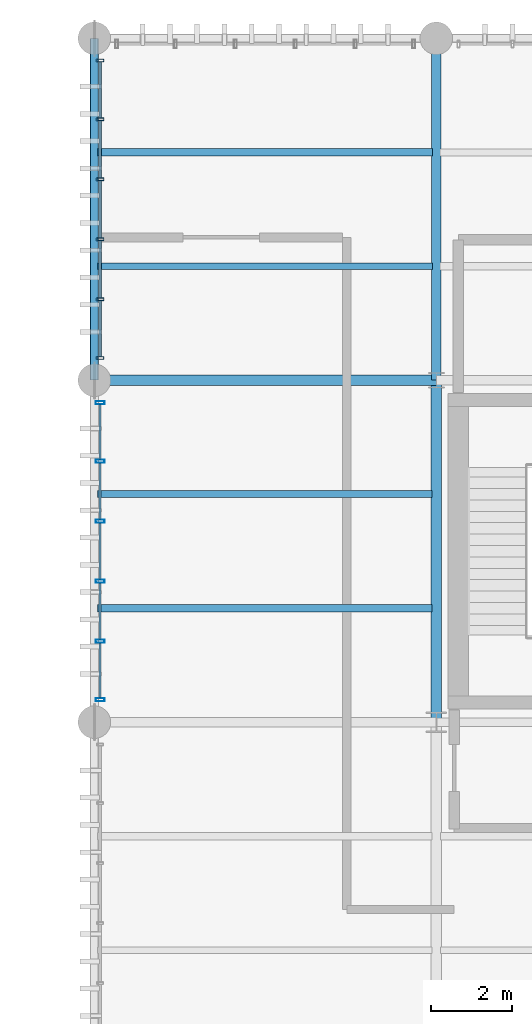
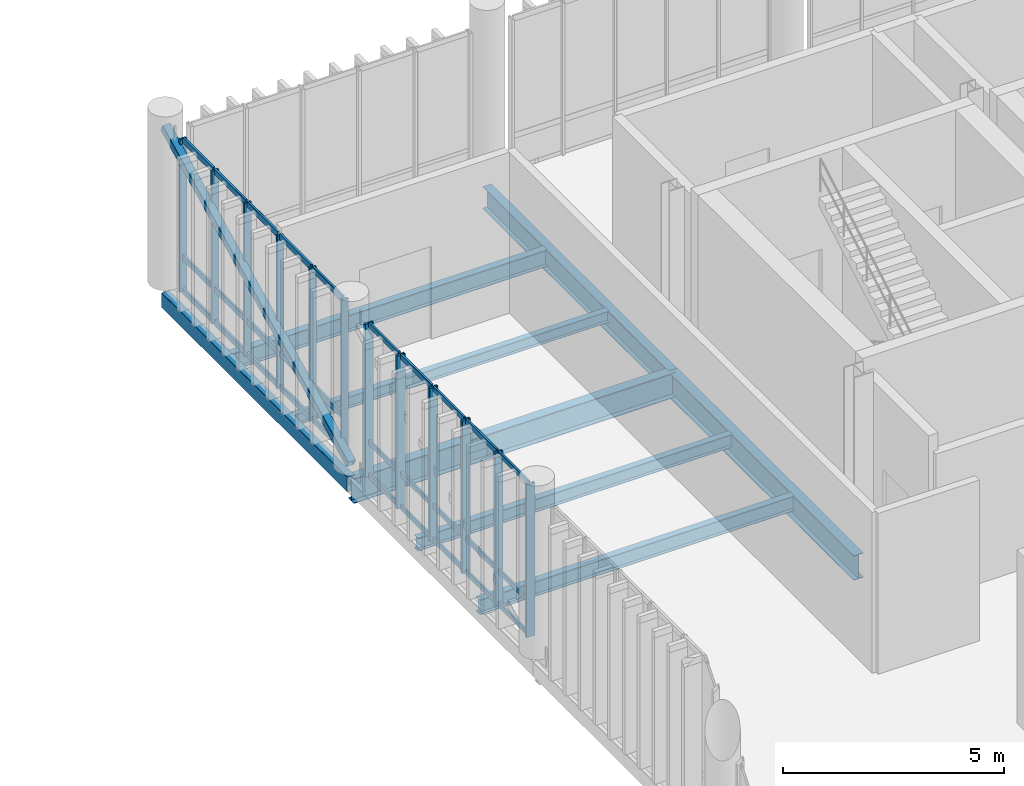
# One storey, part 72 of 109: 43 members, 8 beams, 2 elements without a shape of their own.
"""IFC4 building model written with IfcOpenShell, lengths in metres."""

from ifc_helpers import new_model, si_unit, direction, frame, origin_with_axes, origin_2d_with_axis, place, context, subcontext, project, spatial, hollow_rectangle, i_section, extrude, material, material_profile, profile_set, type_object, element, aggregate, save


model = new_model("IFC4")

# Units and contexts
model_context = context("Model", 3, precision=1e-05, world=origin_with_axes(), true_north=direction((0.0, 1.0)))
body_context = subcontext(model_context, "Body", "Model", "MODEL_VIEW")
ifc_project = project(units=[si_unit("LENGTHUNIT", "METRE"), si_unit("AREAUNIT", "SQUARE_METRE"), si_unit("VOLUMEUNIT", "CUBIC_METRE"), si_unit("PLANEANGLEUNIT", "RADIAN"), si_unit("MASSUNIT", "GRAM", prefix="KILO"), si_unit("THERMODYNAMICTEMPERATUREUNIT", "KELVIN")], contexts=[model_context])

# Site, building, storey
site_placement = place(None, origin_with_axes())
site = spatial("IfcSite", under=ifc_project, at=site_placement, CompositionType="ELEMENT")
building_placement = place(site_placement, origin_with_axes())
building = spatial("IfcBuilding", under=site, at=building_placement, Name="Montbau Bow Law Courts", CompositionType="ELEMENT")
storey_placement = place(building_placement, frame((0.0, 0.0, 10.8), z_axis=(0.0, 0.0, 1.0), x_axis=(1.0, 0.0, 0.0)))
storey = spatial("IfcBuildingStorey", under=building, at=storey_placement, Name="L02", CompositionType="ELEMENT", Elevation=10.8)

# Beams
ifc_material_1 = material(Name="Steel CSA G40.21 Grade 350W (350 MPa)", Category="steel")
ifc_material_profile_1 = material_profile(ifc_material_1, i_section(OverallWidth=0.254, OverallDepth=0.688, WebThickness=0.0131, FlangeThickness=0.0211, at=origin_2d_with_axis()), Name="W690X152", Category="Main", Priority=0)
ifc_profile_set_1 = profile_set([ifc_material_profile_1], Name="Steel CSA G40.21 Grade 350W (350 MPa)")
beam_type_1 = type_object("IfcBeamType", Name="B-FLR-04", PredefinedType="BEAM", material=ifc_profile_set_1)
for number, where, z_axis, x_axis, name in (
    (1, (138.6, 94.8, 10.156), (1.0, 0.0, 0.0), (0.0, 1.0, 0.0), "BM-L02-S1177:bm2_1180"),
    (2, (147.0, 86.4, 10.156), (0.0, 1.0, 0.0), (-1.0, 0.0, 0.0), "BM-L02-S1191:bm2_1194"),
):
    element("IfcBeam", number, at=place(None, frame(where, z_axis=z_axis, x_axis=x_axis)), inside=storey, type_object=beam_type_1, Name=name, PredefinedType="BEAM", context=body_context, shape_type="SweptSolid", body=[
        extrude(i_section(OverallWidth=0.254, OverallDepth=0.688, WebThickness=0.0131, FlangeThickness=0.0211, at=origin_2d_with_axis()), origin_with_axes(), (0.0, 0.0, 1.0), 8.4),
    ])
ifc_material_profile_2 = material_profile(ifc_material_1, i_section(OverallWidth=0.229, OverallDepth=0.612, WebThickness=0.0119, FlangeThickness=0.0196, at=origin_2d_with_axis()), Name="W610X125", Category="Main", Priority=0)
ifc_profile_set_2 = profile_set([ifc_material_profile_2], Name="Steel CSA G40.21 Grade 350W (350 MPa)")
beam_type_2 = type_object("IfcBeamType", Name="B-FLR-05", PredefinedType="BEAM", material=ifc_profile_set_2)
beam_1_placement = place(None, frame((147.0, 94.8, 10.194), z_axis=(0.0, 1.0, 0.0), x_axis=(-1.0, 0.0, 0.0)))
element("IfcBeam", 3, at=beam_1_placement, inside=storey, type_object=beam_type_2, Name="BM-L02-S1192:bm2_1195", PredefinedType="BEAM", context=body_context, shape_type="SweptSolid", body=[
    extrude(i_section(OverallWidth=0.229, OverallDepth=0.612, WebThickness=0.0119, FlangeThickness=0.0196, at=origin_2d_with_axis()), origin_with_axes(), (0.0, 0.0, 1.0), 8.4),
])
ifc_material_profile_3 = material_profile(ifc_material_1, i_section(OverallWidth=0.191, OverallDepth=0.46, WebThickness=0.0099, FlangeThickness=0.016, at=origin_2d_with_axis()), Name="W460X82", Category="Main", Priority=0)
ifc_profile_set_3 = profile_set([ifc_material_profile_3], Name="Steel CSA G40.21 Grade 350W (350 MPa)")
beam_type_3 = type_object("IfcBeamType", Name="B-JST-01", PredefinedType="JOIST", material=ifc_profile_set_3)
beam_2_placement = place(None, frame((138.68, 100.4, 10.27), z_axis=(1.0, 0.0, 0.0), x_axis=(0.0, 1.0, 0.0)))
element("IfcBeam", 4, at=beam_2_placement, inside=storey, type_object=beam_type_3, Name="JST-L02-S0616:jst2_0616", PredefinedType="JOIST", context=body_context, shape_type="SweptSolid", body=[
    extrude(i_section(OverallWidth=0.191, OverallDepth=0.46, WebThickness=0.0099, FlangeThickness=0.016, at=origin_2d_with_axis()), origin_with_axes(), (0.0, 0.0, 1.0), 8.23),
])
ifc_material_profile_4 = material_profile(ifc_material_1, i_section(OverallWidth=0.179, OverallDepth=0.41, WebThickness=0.0088, FlangeThickness=0.0144, at=origin_2d_with_axis()), Name="W410X67", Category="Main", Priority=0)
ifc_profile_set_4 = profile_set([ifc_material_profile_4], Name="Steel CSA G40.21 Grade 350W (350 MPa)")
beam_type_4 = type_object("IfcBeamType", Name="B-JST-02", PredefinedType="JOIST", material=ifc_profile_set_4)
beam_3_placement = place(None, frame((138.68, 89.2, 10.295), z_axis=(1.0, 0.0, 0.0), x_axis=(0.0, 1.0, 0.0)))
element("IfcBeam", 5, at=beam_3_placement, inside=storey, type_object=beam_type_4, Name="JST-L02-S0613:jst2_0613", PredefinedType="JOIST", context=body_context, shape_type="SweptSolid", body=[
    extrude(i_section(OverallWidth=0.179, OverallDepth=0.41, WebThickness=0.0088, FlangeThickness=0.0144, at=origin_2d_with_axis()), origin_with_axes(), (0.0, 0.0, 1.0), 8.217),
])
ifc_material_profile_5 = material_profile(ifc_material_1, i_section(OverallWidth=0.172, OverallDepth=0.358, WebThickness=0.0079, FlangeThickness=0.0131, at=origin_2d_with_axis()), Name="W360X57", Category="Main", Priority=0)
ifc_profile_set_5 = profile_set([ifc_material_profile_5], Name="Steel CSA G40.21 Grade 350W (350 MPa)")
beam_type_5 = type_object("IfcBeamType", Name="B-JST-03", PredefinedType="JOIST", material=ifc_profile_set_5)
beam_4_placement = place(None, frame((138.68, 92.0, 10.321), z_axis=(1.0, 0.0, 0.0), x_axis=(0.0, 1.0, 0.0)))
element("IfcBeam", 6, at=beam_4_placement, inside=storey, type_object=beam_type_5, Name="JST-L02-S0614:jst2_0614", PredefinedType="JOIST", context=body_context, shape_type="SweptSolid", body=[
    extrude(i_section(OverallWidth=0.172, OverallDepth=0.358, WebThickness=0.0079, FlangeThickness=0.0131, at=origin_2d_with_axis()), origin_with_axes(), (0.0, 0.0, 1.0), 8.217),
])
ifc_material_profile_6 = material_profile(ifc_material_1, i_section(OverallWidth=0.166, OverallDepth=0.313, WebThickness=0.0066, FlangeThickness=0.0112, at=origin_2d_with_axis()), Name="W310X45", Category="Main", Priority=0)
ifc_profile_set_6 = profile_set([ifc_material_profile_6], Name="Steel CSA G40.21 Grade 350W (350 MPa)")
beam_type_6 = type_object("IfcBeamType", Name="B-JST-04", PredefinedType="JOIST", material=ifc_profile_set_6)
beam_5_placement = place(None, frame((138.68, 97.6, 10.344), z_axis=(1.0, 0.0, 0.0), x_axis=(0.0, 1.0, 0.0)))
element("IfcBeam", 7, at=beam_5_placement, inside=storey, type_object=beam_type_6, Name="JST-L02-S0615:jst2_0615", PredefinedType="JOIST", context=body_context, shape_type="SweptSolid", body=[
    extrude(i_section(OverallWidth=0.166, OverallDepth=0.313, WebThickness=0.0066, FlangeThickness=0.0112, at=origin_2d_with_axis()), origin_with_axes(), (0.0, 0.0, 1.0), 8.23),
])
ifc_material_2 = material(Name="Steel CSA G40.21 Grade 350WT (350 MPa)", Category="steel")
ifc_material_profile_7 = material_profile(ifc_material_2, hollow_rectangle(XDim=0.203, YDim=0.406, WallThickness=0.0127, InnerFilletRadius=0.0254, OuterFilletRadius=0.0127, at=origin_2d_with_axis()), Name="HSS406X203X13", Category="Main", Priority=0)
ifc_profile_set_7 = profile_set([ifc_material_profile_7], Name="Steel CSA G40.21 Grade 350WT (350 MPa)")
beam_type_7 = type_object("IfcBeamType", Name="B-SPN-01", PredefinedType="SPANDREL", material=ifc_profile_set_7)
beam_6_placement = place(None, frame((138.6, 94.8, 10.297), z_axis=(0.0, 1.0, 0.0), x_axis=(-1.0, 0.0, 0.0)))
element("IfcBeam", 8, at=beam_6_placement, inside=storey, type_object=beam_type_7, Name="SPN-L02-S1188:bm2_1191", PredefinedType="SPANDREL", context=body_context, shape_type="SweptSolid", body=[
    extrude(hollow_rectangle(XDim=0.203, YDim=0.406, WallThickness=0.0127, InnerFilletRadius=0.0254, OuterFilletRadius=0.0127, at=origin_2d_with_axis()), origin_with_axes(), (0.0, 0.0, 1.0), 8.4),
])

# Member
ifc_material_profile_8 = material_profile(ifc_material_1, hollow_rectangle(XDim=0.203, YDim=0.203, WallThickness=0.0111, InnerFilletRadius=0.0222, OuterFilletRadius=0.0111, at=origin_2d_with_axis()), Name="HSS203X203X11", Category="Main", Priority=0)
ifc_profile_set_8 = profile_set([ifc_material_profile_8], Name="Steel CSA G40.21 Grade 350W (350 MPa)")
member_type_1 = type_object("IfcMemberType", Name="M-BRC-02", PredefinedType="BRACE", material=ifc_profile_set_8)
member_1_placement = place(None, frame((138.6, 94.8, 10.85), z_axis=(0.0, 0.894128949, 0.447809582), x_axis=(-1.0, 0.0, 0.0)))
element("IfcMember", 9, at=member_1_placement, inside=storey, type_object=member_type_1, Name="Diagonal brace CBF-L02-068A", PredefinedType="BRACE", context=body_context, shape_type="SweptSolid", body=[
    extrude(hollow_rectangle(XDim=0.203, YDim=0.203, WallThickness=0.0111, InnerFilletRadius=0.0222, OuterFilletRadius=0.0111, at=origin_2d_with_axis()), origin_with_axes(), (0.0, 0.0, 1.0), 9.394618),
])

# Curtain wall, members
ifc_material_3 = material(Name="Thermally Broken Extruded Aluminium AA 6063-T6", Category="aluminium")
curtain_wall_type = type_object("IfcCurtainWallType", Name="CW-SLT-01", PredefinedType="NOTDEFINED", material=ifc_material_3)
curtain_wall_1_placement = place(None, frame((138.74, 86.915, 10.8), z_axis=(0.0, 0.0, 1.0), x_axis=(1.0, 0.0, 0.0)))
curtain_wall_1 = element("IfcCurtainWall", 10, at=curtain_wall_1_placement, inside=storey, type_object=curtain_wall_type, Name="CW-L02-303:cw_0303", PredefinedType="NOTDEFINED")
ifc_material_profile_9 = material_profile(ifc_material_3, hollow_rectangle(XDim=0.075, YDim=0.22, WallThickness=0.005, InnerFilletRadius=0.01, OuterFilletRadius=0.005, at=origin_2d_with_axis()), Name="CWM-220X75", Category="Main", Priority=0)
ifc_profile_set_9 = profile_set([ifc_material_profile_9], Name="Thermally Broken Extruded Aluminium AA 6063-T6")
member_type_2 = type_object("IfcMemberType", Name="M-MUL-01", PredefinedType="MULLION", material=ifc_profile_set_9)
member_2_placement = place(None, frame((138.74, 86.952, 10.8), z_axis=(0.0, 0.0, 1.0), x_axis=(0.0, 1.0, 0.0)))
member_2 = element("IfcMember", 11, at=member_2_placement, type_object=member_type_2, Name="CW-L02-303-M01:cw_0303_M01", PredefinedType="MULLION", context=body_context, shape_type="SweptSolid", body=[
    extrude(hollow_rectangle(XDim=0.075, YDim=0.22, WallThickness=0.005, InnerFilletRadius=0.01, OuterFilletRadius=0.005, at=origin_2d_with_axis()), origin_with_axes(), (0.0, 0.0, 1.0), 4.22),
])
member_3_placement = place(None, frame((138.74, 88.389, 10.8), z_axis=(0.0, 0.0, 1.0), x_axis=(0.0, 1.0, 0.0)))
member_3 = element("IfcMember", 12, at=member_3_placement, type_object=member_type_2, Name="CW-L02-303-M02:cw_0303_M02", PredefinedType="MULLION", context=body_context, shape_type="SweptSolid", body=[
    extrude(hollow_rectangle(XDim=0.075, YDim=0.22, WallThickness=0.005, InnerFilletRadius=0.01, OuterFilletRadius=0.005, at=origin_2d_with_axis()), origin_with_axes(), (0.0, 0.0, 1.0), 4.22),
])
member_4_placement = place(None, frame((138.74, 89.863, 10.8), z_axis=(0.0, 0.0, 1.0), x_axis=(0.0, 1.0, 0.0)))
member_4 = element("IfcMember", 13, at=member_4_placement, type_object=member_type_2, Name="CW-L02-303-M03:cw_0303_M03", PredefinedType="MULLION", context=body_context, shape_type="SweptSolid", body=[
    extrude(hollow_rectangle(XDim=0.075, YDim=0.22, WallThickness=0.005, InnerFilletRadius=0.01, OuterFilletRadius=0.005, at=origin_2d_with_axis()), origin_with_axes(), (0.0, 0.0, 1.0), 4.22),
])
member_5_placement = place(None, frame((138.74, 91.337, 10.8), z_axis=(0.0, 0.0, 1.0), x_axis=(0.0, 1.0, 0.0)))
member_5 = element("IfcMember", 14, at=member_5_placement, type_object=member_type_2, Name="CW-L02-303-M04:cw_0303_M04", PredefinedType="MULLION", context=body_context, shape_type="SweptSolid", body=[
    extrude(hollow_rectangle(XDim=0.075, YDim=0.22, WallThickness=0.005, InnerFilletRadius=0.01, OuterFilletRadius=0.005, at=origin_2d_with_axis()), origin_with_axes(), (0.0, 0.0, 1.0), 4.22),
])
member_6_placement = place(None, frame((138.74, 92.811, 10.8), z_axis=(0.0, 0.0, 1.0), x_axis=(0.0, 1.0, 0.0)))
member_6 = element("IfcMember", 15, at=member_6_placement, type_object=member_type_2, Name="CW-L02-303-M05:cw_0303_M05", PredefinedType="MULLION", context=body_context, shape_type="SweptSolid", body=[
    extrude(hollow_rectangle(XDim=0.075, YDim=0.22, WallThickness=0.005, InnerFilletRadius=0.01, OuterFilletRadius=0.005, at=origin_2d_with_axis()), origin_with_axes(), (0.0, 0.0, 1.0), 4.22),
])
member_7_placement = place(None, frame((138.74, 94.247, 10.8), z_axis=(0.0, 0.0, 1.0), x_axis=(0.0, 1.0, 0.0)))
member_7 = element("IfcMember", 16, at=member_7_placement, type_object=member_type_2, Name="CW-L02-303-M06:cw_0303_M06", PredefinedType="MULLION", context=body_context, shape_type="SweptSolid", body=[
    extrude(hollow_rectangle(XDim=0.075, YDim=0.22, WallThickness=0.005, InnerFilletRadius=0.01, OuterFilletRadius=0.005, at=origin_2d_with_axis()), origin_with_axes(), (0.0, 0.0, 1.0), 4.22),
])

curtain_wall_2_placement = place(None, frame((138.74, 95.315, 10.8), z_axis=(0.0, 0.0, 1.0), x_axis=(1.0, 0.0, 0.0)))
curtain_wall_2 = element("IfcCurtainWall", 17, at=curtain_wall_2_placement, inside=storey, type_object=curtain_wall_type, Name="CW-L02-304:cw_0304", PredefinedType="NOTDEFINED")
ifc_material_profile_10 = material_profile(ifc_material_3, hollow_rectangle(XDim=0.065, YDim=0.18, WallThickness=0.005, InnerFilletRadius=0.01, OuterFilletRadius=0.005, at=origin_2d_with_axis()), Name="CWM-180X65", Category="Main", Priority=0)
ifc_profile_set_10 = profile_set([ifc_material_profile_10], Name="Thermally Broken Extruded Aluminium AA 6063-T6")
member_type_3 = type_object("IfcMemberType", Name="M-MUL-02", PredefinedType="MULLION", material=ifc_profile_set_10)
member_8_placement = place(None, frame((138.74, 95.348, 10.8), z_axis=(0.0, 0.0, 1.0), x_axis=(0.0, 1.0, 0.0)))
member_8 = element("IfcMember", 18, at=member_8_placement, type_object=member_type_3, Name="CW-L02-304-M01:cw_0304_M01", PredefinedType="MULLION", context=body_context, shape_type="SweptSolid", body=[
    extrude(hollow_rectangle(XDim=0.065, YDim=0.18, WallThickness=0.005, InnerFilletRadius=0.01, OuterFilletRadius=0.005, at=origin_2d_with_axis()), origin_with_axes(), (0.0, 0.0, 1.0), 4.22),
])
member_9_placement = place(None, frame((138.74, 96.789, 10.8), z_axis=(0.0, 0.0, 1.0), x_axis=(0.0, 1.0, 0.0)))
member_9 = element("IfcMember", 19, at=member_9_placement, type_object=member_type_3, Name="CW-L02-304-M02:cw_0304_M02", PredefinedType="MULLION", context=body_context, shape_type="SweptSolid", body=[
    extrude(hollow_rectangle(XDim=0.065, YDim=0.18, WallThickness=0.005, InnerFilletRadius=0.01, OuterFilletRadius=0.005, at=origin_2d_with_axis()), origin_with_axes(), (0.0, 0.0, 1.0), 4.22),
])
member_10_placement = place(None, frame((138.74, 98.263, 10.8), z_axis=(0.0, 0.0, 1.0), x_axis=(0.0, 1.0, 0.0)))
member_10 = element("IfcMember", 20, at=member_10_placement, type_object=member_type_3, Name="CW-L02-304-M03:cw_0304_M03", PredefinedType="MULLION", context=body_context, shape_type="SweptSolid", body=[
    extrude(hollow_rectangle(XDim=0.065, YDim=0.18, WallThickness=0.005, InnerFilletRadius=0.01, OuterFilletRadius=0.005, at=origin_2d_with_axis()), origin_with_axes(), (0.0, 0.0, 1.0), 4.22),
])
member_11_placement = place(None, frame((138.74, 99.737, 10.8), z_axis=(0.0, 0.0, 1.0), x_axis=(0.0, 1.0, 0.0)))
member_11 = element("IfcMember", 21, at=member_11_placement, type_object=member_type_3, Name="CW-L02-304-M04:cw_0304_M04", PredefinedType="MULLION", context=body_context, shape_type="SweptSolid", body=[
    extrude(hollow_rectangle(XDim=0.065, YDim=0.18, WallThickness=0.005, InnerFilletRadius=0.01, OuterFilletRadius=0.005, at=origin_2d_with_axis()), origin_with_axes(), (0.0, 0.0, 1.0), 4.22),
])
member_12_placement = place(None, frame((138.74, 101.211, 10.8), z_axis=(0.0, 0.0, 1.0), x_axis=(0.0, 1.0, 0.0)))
member_12 = element("IfcMember", 22, at=member_12_placement, type_object=member_type_3, Name="CW-L02-304-M05:cw_0304_M05", PredefinedType="MULLION", context=body_context, shape_type="SweptSolid", body=[
    extrude(hollow_rectangle(XDim=0.065, YDim=0.18, WallThickness=0.005, InnerFilletRadius=0.01, OuterFilletRadius=0.005, at=origin_2d_with_axis()), origin_with_axes(), (0.0, 0.0, 1.0), 4.22),
])
member_13_placement = place(None, frame((138.74, 102.653, 10.8), z_axis=(0.0, 0.0, 1.0), x_axis=(0.0, 1.0, 0.0)))
member_13 = element("IfcMember", 23, at=member_13_placement, type_object=member_type_3, Name="CW-L02-304-M06:cw_0304_M06", PredefinedType="MULLION", context=body_context, shape_type="SweptSolid", body=[
    extrude(hollow_rectangle(XDim=0.065, YDim=0.18, WallThickness=0.005, InnerFilletRadius=0.01, OuterFilletRadius=0.005, at=origin_2d_with_axis()), origin_with_axes(), (0.0, 0.0, 1.0), 4.22),
])
ifc_material_profile_11 = material_profile(ifc_material_3, hollow_rectangle(XDim=0.06, YDim=0.16, WallThickness=0.004, InnerFilletRadius=0.008, OuterFilletRadius=0.004, at=origin_2d_with_axis()), Name="CWT-160X60", Category="Main", Priority=0)
ifc_profile_set_11 = profile_set([ifc_material_profile_11], Name="Thermally Broken Extruded Aluminium AA 6063-T6")
member_type_4 = type_object("IfcMemberType", Name="M-TRN-01", PredefinedType="USERDEFINED", material=ifc_profile_set_11)
member_14_placement = place(None, frame((138.74, 95.383, 10.83), z_axis=(0.0, 1.0, 0.0), x_axis=(-1.0, 0.0, 0.0)))
member_14 = element("IfcMember", 24, at=member_14_placement, type_object=member_type_4, Name="CW-L02-304-T01-1:cw_0304_T01_1", ObjectType="TRANSOM", PredefinedType="USERDEFINED", context=body_context, shape_type="SweptSolid", body=[
    extrude(hollow_rectangle(XDim=0.06, YDim=0.16, WallThickness=0.004, InnerFilletRadius=0.008, OuterFilletRadius=0.004, at=origin_2d_with_axis()), origin_with_axes(), (0.0, 0.0, 1.0), 1.372),
])
member_15_placement = place(None, frame((138.74, 95.383, 11.75), z_axis=(0.0, 1.0, 0.0), x_axis=(-1.0, 0.0, 0.0)))
member_15 = element("IfcMember", 25, at=member_15_placement, type_object=member_type_4, Name="CW-L02-304-T01-2:cw_0304_T01_2", ObjectType="TRANSOM", PredefinedType="USERDEFINED", context=body_context, shape_type="SweptSolid", body=[
    extrude(hollow_rectangle(XDim=0.06, YDim=0.16, WallThickness=0.004, InnerFilletRadius=0.008, OuterFilletRadius=0.004, at=origin_2d_with_axis()), origin_with_axes(), (0.0, 0.0, 1.0), 1.372),
])
member_16_placement = place(None, frame((138.74, 95.383, 14.99), z_axis=(0.0, 1.0, 0.0), x_axis=(-1.0, 0.0, 0.0)))
member_16 = element("IfcMember", 26, at=member_16_placement, type_object=member_type_4, Name="CW-L02-304-T01-3:cw_0304_T01_3", ObjectType="TRANSOM", PredefinedType="USERDEFINED", context=body_context, shape_type="SweptSolid", body=[
    extrude(hollow_rectangle(XDim=0.06, YDim=0.16, WallThickness=0.004, InnerFilletRadius=0.008, OuterFilletRadius=0.004, at=origin_2d_with_axis()), origin_with_axes(), (0.0, 0.0, 1.0), 1.372),
])
member_17_placement = place(None, frame((138.74, 96.823, 10.83), z_axis=(0.0, 1.0, 0.0), x_axis=(-1.0, 0.0, 0.0)))
member_17 = element("IfcMember", 27, at=member_17_placement, type_object=member_type_4, Name="CW-L02-304-T02-1:cw_0304_T02_1", ObjectType="TRANSOM", PredefinedType="USERDEFINED", context=body_context, shape_type="SweptSolid", body=[
    extrude(hollow_rectangle(XDim=0.06, YDim=0.16, WallThickness=0.004, InnerFilletRadius=0.008, OuterFilletRadius=0.004, at=origin_2d_with_axis()), origin_with_axes(), (0.0, 0.0, 1.0), 1.405),
])
member_18_placement = place(None, frame((138.74, 96.823, 11.75), z_axis=(0.0, 1.0, 0.0), x_axis=(-1.0, 0.0, 0.0)))
member_18 = element("IfcMember", 28, at=member_18_placement, type_object=member_type_4, Name="CW-L02-304-T02-2:cw_0304_T02_2", ObjectType="TRANSOM", PredefinedType="USERDEFINED", context=body_context, shape_type="SweptSolid", body=[
    extrude(hollow_rectangle(XDim=0.06, YDim=0.16, WallThickness=0.004, InnerFilletRadius=0.008, OuterFilletRadius=0.004, at=origin_2d_with_axis()), origin_with_axes(), (0.0, 0.0, 1.0), 1.405),
])
member_19_placement = place(None, frame((138.74, 96.823, 14.99), z_axis=(0.0, 1.0, 0.0), x_axis=(-1.0, 0.0, 0.0)))
member_19 = element("IfcMember", 29, at=member_19_placement, type_object=member_type_4, Name="CW-L02-304-T02-3:cw_0304_T02_3", ObjectType="TRANSOM", PredefinedType="USERDEFINED", context=body_context, shape_type="SweptSolid", body=[
    extrude(hollow_rectangle(XDim=0.06, YDim=0.16, WallThickness=0.004, InnerFilletRadius=0.008, OuterFilletRadius=0.004, at=origin_2d_with_axis()), origin_with_axes(), (0.0, 0.0, 1.0), 1.405),
])
member_20_placement = place(None, frame((138.74, 98.297, 10.83), z_axis=(0.0, 1.0, 0.0), x_axis=(-1.0, 0.0, 0.0)))
member_20 = element("IfcMember", 30, at=member_20_placement, type_object=member_type_4, Name="CW-L02-304-T03-1:cw_0304_T03_1", ObjectType="TRANSOM", PredefinedType="USERDEFINED", context=body_context, shape_type="SweptSolid", body=[
    extrude(hollow_rectangle(XDim=0.06, YDim=0.16, WallThickness=0.004, InnerFilletRadius=0.008, OuterFilletRadius=0.004, at=origin_2d_with_axis()), origin_with_axes(), (0.0, 0.0, 1.0), 1.406),
])
member_21_placement = place(None, frame((138.74, 98.297, 11.75), z_axis=(0.0, 1.0, 0.0), x_axis=(-1.0, 0.0, 0.0)))
member_21 = element("IfcMember", 31, at=member_21_placement, type_object=member_type_4, Name="CW-L02-304-T03-2:cw_0304_T03_2", ObjectType="TRANSOM", PredefinedType="USERDEFINED", context=body_context, shape_type="SweptSolid", body=[
    extrude(hollow_rectangle(XDim=0.06, YDim=0.16, WallThickness=0.004, InnerFilletRadius=0.008, OuterFilletRadius=0.004, at=origin_2d_with_axis()), origin_with_axes(), (0.0, 0.0, 1.0), 1.406),
])
member_22_placement = place(None, frame((138.74, 98.297, 14.99), z_axis=(0.0, 1.0, 0.0), x_axis=(-1.0, 0.0, 0.0)))
member_22 = element("IfcMember", 32, at=member_22_placement, type_object=member_type_4, Name="CW-L02-304-T03-3:cw_0304_T03_3", ObjectType="TRANSOM", PredefinedType="USERDEFINED", context=body_context, shape_type="SweptSolid", body=[
    extrude(hollow_rectangle(XDim=0.06, YDim=0.16, WallThickness=0.004, InnerFilletRadius=0.008, OuterFilletRadius=0.004, at=origin_2d_with_axis()), origin_with_axes(), (0.0, 0.0, 1.0), 1.406),
])
member_23_placement = place(None, frame((138.74, 99.771, 10.83), z_axis=(0.0, 1.0, 0.0), x_axis=(-1.0, 0.0, 0.0)))
member_23 = element("IfcMember", 33, at=member_23_placement, type_object=member_type_4, Name="CW-L02-304-T04-1:cw_0304_T04_1", ObjectType="TRANSOM", PredefinedType="USERDEFINED", context=body_context, shape_type="SweptSolid", body=[
    extrude(hollow_rectangle(XDim=0.06, YDim=0.16, WallThickness=0.004, InnerFilletRadius=0.008, OuterFilletRadius=0.004, at=origin_2d_with_axis()), origin_with_axes(), (0.0, 0.0, 1.0), 1.406),
])
member_24_placement = place(None, frame((138.74, 99.771, 11.75), z_axis=(0.0, 1.0, 0.0), x_axis=(-1.0, 0.0, 0.0)))
member_24 = element("IfcMember", 34, at=member_24_placement, type_object=member_type_4, Name="CW-L02-304-T04-2:cw_0304_T04_2", ObjectType="TRANSOM", PredefinedType="USERDEFINED", context=body_context, shape_type="SweptSolid", body=[
    extrude(hollow_rectangle(XDim=0.06, YDim=0.16, WallThickness=0.004, InnerFilletRadius=0.008, OuterFilletRadius=0.004, at=origin_2d_with_axis()), origin_with_axes(), (0.0, 0.0, 1.0), 1.406),
])
member_25_placement = place(None, frame((138.74, 99.771, 14.99), z_axis=(0.0, 1.0, 0.0), x_axis=(-1.0, 0.0, 0.0)))
member_25 = element("IfcMember", 35, at=member_25_placement, type_object=member_type_4, Name="CW-L02-304-T04-3:cw_0304_T04_3", ObjectType="TRANSOM", PredefinedType="USERDEFINED", context=body_context, shape_type="SweptSolid", body=[
    extrude(hollow_rectangle(XDim=0.06, YDim=0.16, WallThickness=0.004, InnerFilletRadius=0.008, OuterFilletRadius=0.004, at=origin_2d_with_axis()), origin_with_axes(), (0.0, 0.0, 1.0), 1.406),
])
member_26_placement = place(None, frame((138.74, 101.245, 10.83), z_axis=(0.0, 1.0, 0.0), x_axis=(-1.0, 0.0, 0.0)))
member_26 = element("IfcMember", 36, at=member_26_placement, type_object=member_type_4, Name="CW-L02-304-T05-1:cw_0304_T05_1", ObjectType="TRANSOM", PredefinedType="USERDEFINED", context=body_context, shape_type="SweptSolid", body=[
    extrude(hollow_rectangle(XDim=0.06, YDim=0.16, WallThickness=0.004, InnerFilletRadius=0.008, OuterFilletRadius=0.004, at=origin_2d_with_axis()), origin_with_axes(), (0.0, 0.0, 1.0), 1.374),
])
member_27_placement = place(None, frame((138.74, 101.245, 11.75), z_axis=(0.0, 1.0, 0.0), x_axis=(-1.0, 0.0, 0.0)))
member_27 = element("IfcMember", 37, at=member_27_placement, type_object=member_type_4, Name="CW-L02-304-T05-2:cw_0304_T05_2", ObjectType="TRANSOM", PredefinedType="USERDEFINED", context=body_context, shape_type="SweptSolid", body=[
    extrude(hollow_rectangle(XDim=0.06, YDim=0.16, WallThickness=0.004, InnerFilletRadius=0.008, OuterFilletRadius=0.004, at=origin_2d_with_axis()), origin_with_axes(), (0.0, 0.0, 1.0), 1.374),
])
member_28_placement = place(None, frame((138.74, 101.245, 14.99), z_axis=(0.0, 1.0, 0.0), x_axis=(-1.0, 0.0, 0.0)))
member_28 = element("IfcMember", 38, at=member_28_placement, type_object=member_type_4, Name="CW-L02-304-T05-3:cw_0304_T05_3", ObjectType="TRANSOM", PredefinedType="USERDEFINED", context=body_context, shape_type="SweptSolid", body=[
    extrude(hollow_rectangle(XDim=0.06, YDim=0.16, WallThickness=0.004, InnerFilletRadius=0.008, OuterFilletRadius=0.004, at=origin_2d_with_axis()), origin_with_axes(), (0.0, 0.0, 1.0), 1.374),
])
aggregate(curtain_wall_2, [member_8, member_9, member_10, member_11, member_12, member_13, member_14, member_15, member_16, member_17, member_18, member_19, member_20, member_21, member_22, member_23, member_24, member_25, member_26, member_27, member_28])

# Member
ifc_material_profile_12 = material_profile(ifc_material_3, hollow_rectangle(XDim=0.055, YDim=0.14, WallThickness=0.004, InnerFilletRadius=0.008, OuterFilletRadius=0.004, at=origin_2d_with_axis()), Name="CWT-140X55", Category="Main", Priority=0)
ifc_profile_set_12 = profile_set([ifc_material_profile_12], Name="Thermally Broken Extruded Aluminium AA 6063-T6")
member_type_5 = type_object("IfcMemberType", Name="M-TRN-02", PredefinedType="USERDEFINED", material=ifc_profile_set_12)
member_29_placement = place(None, frame((138.74, 86.991, 10.828), z_axis=(0.0, 1.0, 0.0), x_axis=(-1.0, 0.0, 0.0)))
member_29 = element("IfcMember", 39, at=member_29_placement, type_object=member_type_5, Name="CW-L02-303-T01-1:cw_0303_T01_1", ObjectType="TRANSOM", PredefinedType="USERDEFINED", context=body_context, shape_type="SweptSolid", body=[
    extrude(hollow_rectangle(XDim=0.055, YDim=0.14, WallThickness=0.004, InnerFilletRadius=0.008, OuterFilletRadius=0.004, at=origin_2d_with_axis()), origin_with_axes(), (0.0, 0.0, 1.0), 1.358),
])

member_30_placement = place(None, frame((138.74, 86.991, 11.75), z_axis=(0.0, 1.0, 0.0), x_axis=(-1.0, 0.0, 0.0)))
member_30 = element("IfcMember", 40, at=member_30_placement, type_object=member_type_5, Name="CW-L02-303-T01-2:cw_0303_T01_2", ObjectType="TRANSOM", PredefinedType="USERDEFINED", context=body_context, shape_type="SweptSolid", body=[
    extrude(hollow_rectangle(XDim=0.055, YDim=0.14, WallThickness=0.004, InnerFilletRadius=0.008, OuterFilletRadius=0.004, at=origin_2d_with_axis()), origin_with_axes(), (0.0, 0.0, 1.0), 1.358),
])

member_31_placement = place(None, frame((138.74, 86.991, 14.992), z_axis=(0.0, 1.0, 0.0), x_axis=(-1.0, 0.0, 0.0)))
member_31 = element("IfcMember", 41, at=member_31_placement, type_object=member_type_5, Name="CW-L02-303-T01-3:cw_0303_T01_3", ObjectType="TRANSOM", PredefinedType="USERDEFINED", context=body_context, shape_type="SweptSolid", body=[
    extrude(hollow_rectangle(XDim=0.055, YDim=0.14, WallThickness=0.004, InnerFilletRadius=0.008, OuterFilletRadius=0.004, at=origin_2d_with_axis()), origin_with_axes(), (0.0, 0.0, 1.0), 1.358),
])

member_32_placement = place(None, frame((138.74, 88.429, 10.828), z_axis=(0.0, 1.0, 0.0), x_axis=(-1.0, 0.0, 0.0)))
member_32 = element("IfcMember", 42, at=member_32_placement, type_object=member_type_5, Name="CW-L02-303-T02-1:cw_0303_T02_1", ObjectType="TRANSOM", PredefinedType="USERDEFINED", context=body_context, shape_type="SweptSolid", body=[
    extrude(hollow_rectangle(XDim=0.055, YDim=0.14, WallThickness=0.004, InnerFilletRadius=0.008, OuterFilletRadius=0.004, at=origin_2d_with_axis()), origin_with_axes(), (0.0, 0.0, 1.0), 1.395),
])

member_33_placement = place(None, frame((138.74, 88.429, 11.75), z_axis=(0.0, 1.0, 0.0), x_axis=(-1.0, 0.0, 0.0)))
member_33 = element("IfcMember", 43, at=member_33_placement, type_object=member_type_5, Name="CW-L02-303-T02-2:cw_0303_T02_2", ObjectType="TRANSOM", PredefinedType="USERDEFINED", context=body_context, shape_type="SweptSolid", body=[
    extrude(hollow_rectangle(XDim=0.055, YDim=0.14, WallThickness=0.004, InnerFilletRadius=0.008, OuterFilletRadius=0.004, at=origin_2d_with_axis()), origin_with_axes(), (0.0, 0.0, 1.0), 1.395),
])

member_34_placement = place(None, frame((138.74, 88.429, 14.992), z_axis=(0.0, 1.0, 0.0), x_axis=(-1.0, 0.0, 0.0)))
member_34 = element("IfcMember", 44, at=member_34_placement, type_object=member_type_5, Name="CW-L02-303-T02-3:cw_0303_T02_3", ObjectType="TRANSOM", PredefinedType="USERDEFINED", context=body_context, shape_type="SweptSolid", body=[
    extrude(hollow_rectangle(XDim=0.055, YDim=0.14, WallThickness=0.004, InnerFilletRadius=0.008, OuterFilletRadius=0.004, at=origin_2d_with_axis()), origin_with_axes(), (0.0, 0.0, 1.0), 1.395),
])

member_35_placement = place(None, frame((138.74, 89.902, 10.828), z_axis=(0.0, 1.0, 0.0), x_axis=(-1.0, 0.0, 0.0)))
member_35 = element("IfcMember", 45, at=member_35_placement, type_object=member_type_5, Name="CW-L02-303-T03-1:cw_0303_T03_1", ObjectType="TRANSOM", PredefinedType="USERDEFINED", context=body_context, shape_type="SweptSolid", body=[
    extrude(hollow_rectangle(XDim=0.055, YDim=0.14, WallThickness=0.004, InnerFilletRadius=0.008, OuterFilletRadius=0.004, at=origin_2d_with_axis()), origin_with_axes(), (0.0, 0.0, 1.0), 1.396),
])

member_36_placement = place(None, frame((138.74, 89.902, 11.75), z_axis=(0.0, 1.0, 0.0), x_axis=(-1.0, 0.0, 0.0)))
member_36 = element("IfcMember", 46, at=member_36_placement, type_object=member_type_5, Name="CW-L02-303-T03-2:cw_0303_T03_2", ObjectType="TRANSOM", PredefinedType="USERDEFINED", context=body_context, shape_type="SweptSolid", body=[
    extrude(hollow_rectangle(XDim=0.055, YDim=0.14, WallThickness=0.004, InnerFilletRadius=0.008, OuterFilletRadius=0.004, at=origin_2d_with_axis()), origin_with_axes(), (0.0, 0.0, 1.0), 1.396),
])

member_37_placement = place(None, frame((138.74, 89.902, 14.992), z_axis=(0.0, 1.0, 0.0), x_axis=(-1.0, 0.0, 0.0)))
member_37 = element("IfcMember", 47, at=member_37_placement, type_object=member_type_5, Name="CW-L02-303-T03-3:cw_0303_T03_3", ObjectType="TRANSOM", PredefinedType="USERDEFINED", context=body_context, shape_type="SweptSolid", body=[
    extrude(hollow_rectangle(XDim=0.055, YDim=0.14, WallThickness=0.004, InnerFilletRadius=0.008, OuterFilletRadius=0.004, at=origin_2d_with_axis()), origin_with_axes(), (0.0, 0.0, 1.0), 1.396),
])

member_38_placement = place(None, frame((138.74, 91.376, 10.828), z_axis=(0.0, 1.0, 0.0), x_axis=(-1.0, 0.0, 0.0)))
member_38 = element("IfcMember", 48, at=member_38_placement, type_object=member_type_5, Name="CW-L02-303-T04-1:cw_0303_T04_1", ObjectType="TRANSOM", PredefinedType="USERDEFINED", context=body_context, shape_type="SweptSolid", body=[
    extrude(hollow_rectangle(XDim=0.055, YDim=0.14, WallThickness=0.004, InnerFilletRadius=0.008, OuterFilletRadius=0.004, at=origin_2d_with_axis()), origin_with_axes(), (0.0, 0.0, 1.0), 1.396),
])

member_39_placement = place(None, frame((138.74, 91.376, 11.75), z_axis=(0.0, 1.0, 0.0), x_axis=(-1.0, 0.0, 0.0)))
member_39 = element("IfcMember", 49, at=member_39_placement, type_object=member_type_5, Name="CW-L02-303-T04-2:cw_0303_T04_2", ObjectType="TRANSOM", PredefinedType="USERDEFINED", context=body_context, shape_type="SweptSolid", body=[
    extrude(hollow_rectangle(XDim=0.055, YDim=0.14, WallThickness=0.004, InnerFilletRadius=0.008, OuterFilletRadius=0.004, at=origin_2d_with_axis()), origin_with_axes(), (0.0, 0.0, 1.0), 1.396),
])

member_40_placement = place(None, frame((138.74, 91.376, 14.992), z_axis=(0.0, 1.0, 0.0), x_axis=(-1.0, 0.0, 0.0)))
member_40 = element("IfcMember", 50, at=member_40_placement, type_object=member_type_5, Name="CW-L02-303-T04-3:cw_0303_T04_3", ObjectType="TRANSOM", PredefinedType="USERDEFINED", context=body_context, shape_type="SweptSolid", body=[
    extrude(hollow_rectangle(XDim=0.055, YDim=0.14, WallThickness=0.004, InnerFilletRadius=0.008, OuterFilletRadius=0.004, at=origin_2d_with_axis()), origin_with_axes(), (0.0, 0.0, 1.0), 1.396),
])

member_41_placement = place(None, frame((138.74, 92.85, 10.828), z_axis=(0.0, 1.0, 0.0), x_axis=(-1.0, 0.0, 0.0)))
member_41 = element("IfcMember", 51, at=member_41_placement, type_object=member_type_5, Name="CW-L02-303-T05-1:cw_0303_T05_1", ObjectType="TRANSOM", PredefinedType="USERDEFINED", context=body_context, shape_type="SweptSolid", body=[
    extrude(hollow_rectangle(XDim=0.055, YDim=0.14, WallThickness=0.004, InnerFilletRadius=0.008, OuterFilletRadius=0.004, at=origin_2d_with_axis()), origin_with_axes(), (0.0, 0.0, 1.0), 1.358),
])

member_42_placement = place(None, frame((138.74, 92.85, 11.75), z_axis=(0.0, 1.0, 0.0), x_axis=(-1.0, 0.0, 0.0)))
member_42 = element("IfcMember", 52, at=member_42_placement, type_object=member_type_5, Name="CW-L02-303-T05-2:cw_0303_T05_2", ObjectType="TRANSOM", PredefinedType="USERDEFINED", context=body_context, shape_type="SweptSolid", body=[
    extrude(hollow_rectangle(XDim=0.055, YDim=0.14, WallThickness=0.004, InnerFilletRadius=0.008, OuterFilletRadius=0.004, at=origin_2d_with_axis()), origin_with_axes(), (0.0, 0.0, 1.0), 1.358),
])

member_43_placement = place(None, frame((138.74, 92.85, 14.992), z_axis=(0.0, 1.0, 0.0), x_axis=(-1.0, 0.0, 0.0)))
member_43 = element("IfcMember", 53, at=member_43_placement, type_object=member_type_5, Name="CW-L02-303-T05-3:cw_0303_T05_3", ObjectType="TRANSOM", PredefinedType="USERDEFINED", context=body_context, shape_type="SweptSolid", body=[
    extrude(hollow_rectangle(XDim=0.055, YDim=0.14, WallThickness=0.004, InnerFilletRadius=0.008, OuterFilletRadius=0.004, at=origin_2d_with_axis()), origin_with_axes(), (0.0, 0.0, 1.0), 1.358),
])

aggregate(curtain_wall_1, [member_2, member_3, member_4, member_5, member_6, member_7, member_29, member_30, member_31, member_32, member_33, member_34, member_35, member_36, member_37, member_38, member_39, member_40, member_41, member_42, member_43])

save(model, "model.ifc")
